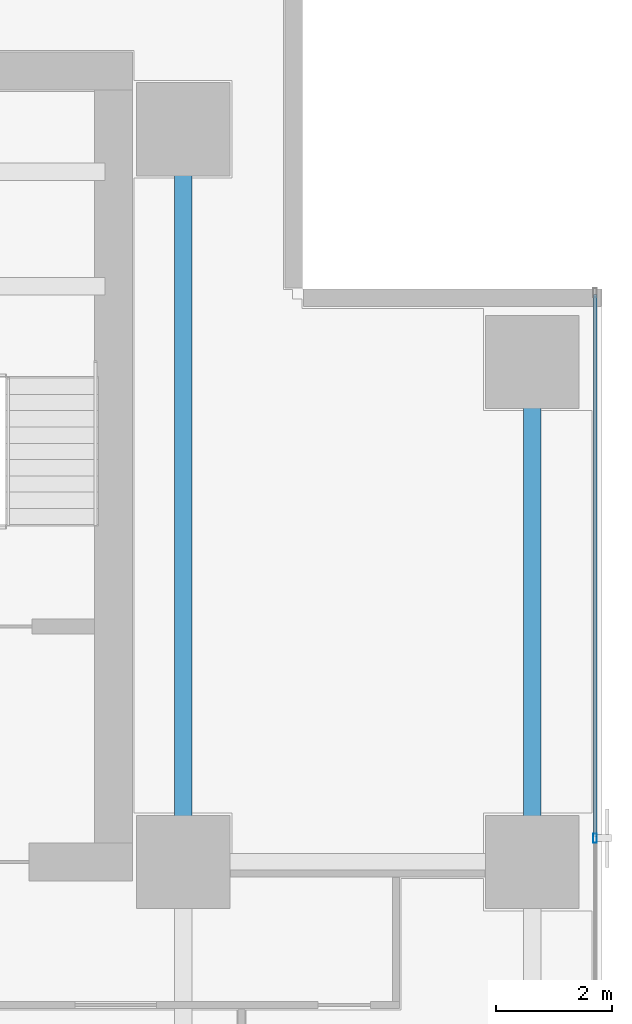
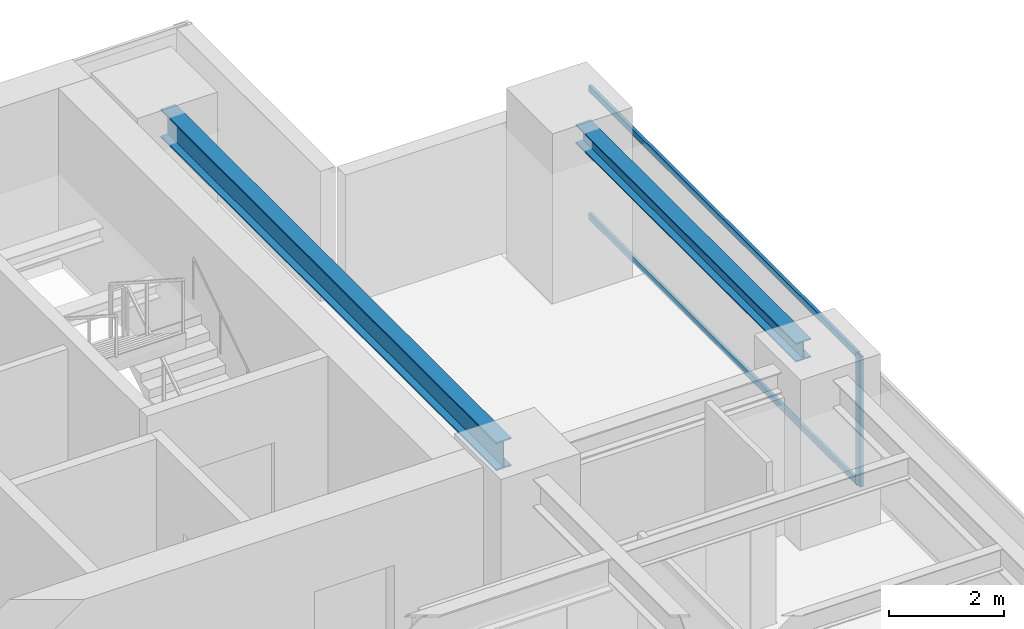
# One storey, part 18 of 28: 3 members, 2 beams, 1 element without a shape of its own.
"""IFC4 building model written with IfcOpenShell, lengths in metres."""

from ifc_helpers import new_model, si_unit, direction, frame, origin, origin_2d, place, context, subcontext, project, spatial, hollow_rectangle, i_section, extrude, source, transform, mapped, material, layer, layer_set, material_profile, profile_set, type_object, element, aggregate, save


model = new_model("IFC4")

# Units and contexts
model_context = context("Model", 3, precision=1e-05, world=origin(), true_north=direction((0.0, 1.0)))
body_context = subcontext(model_context, "Body", "Model", "MODEL_VIEW")
ifc_project = project(units=[si_unit("LENGTHUNIT", "METRE"), si_unit("AREAUNIT", "SQUARE_METRE"), si_unit("VOLUMEUNIT", "CUBIC_METRE"), si_unit("PLANEANGLEUNIT", "RADIAN"), si_unit("MASSUNIT", "GRAM", prefix="KILO")], contexts=[model_context])

# Site, building, storey
site_placement = place(None, origin())
site = spatial("IfcSite", under=ifc_project, at=site_placement, CompositionType="ELEMENT")
building_placement = place(site_placement, origin())
building = spatial("IfcBuilding", under=site, at=building_placement, Name="Sumidabori Civic Tower", CompositionType="ELEMENT")
storey_placement = place(building_placement, frame((0.0, 0.0, 182.0)))
storey = spatial("IfcBuildingStorey", under=building, at=storey_placement, Name="L47", CompositionType="ELEMENT", Elevation=182.0)

# Beams
ifc_material_1 = material(Name="Steel SN490", Category="steel")
ifc_material_profile_1 = material_profile(ifc_material_1, i_section(OverallWidth=0.300048828125, OverallDepth=0.39990234375, WebThickness=0.013427734375, FlangeThickness=0.02392578125, at=origin_2d()), Name="HE 400 B")
ifc_profile_set_1 = profile_set([ifc_material_profile_1], Name="Steel SN490")
beam_type_1 = type_object("IfcBeamType", Name="BM-GIRD-400", PredefinedType="BEAM", material=ifc_profile_set_1)
shared_shape_1 = source(origin(), body_context, "Body", "SweptSolid", [
    extrude(i_section(OverallWidth=0.300048828125, OverallDepth=0.39990234375, WebThickness=0.013427734375, FlangeThickness=0.02392578125, at=origin_2d()), origin(), (0.0, 0.0, 1.0), 7.64013671875),
])
beam_1_placement = place(storey_placement, frame((22.800048828125, 10.679931640625, 3.179931640625), z_axis=(0.0, 1.0, 0.0), x_axis=(-1.0, 0.0, 0.0)))
element("IfcBeam", 1, at=beam_1_placement, inside=storey, type_object=beam_type_1, Name="Primary Girder L47 GY-38", PredefinedType="BEAM", context=body_context, shape_type="MappedRepresentation", body=[
    mapped(shared_shape_1, transform((0.0, 0.0, 0.0), x_axis=(1.0, 0.0, 0.0), y_axis=(0.0, 1.0, 0.0), z_axis=(0.0, 0.0, 1.0), scale=1.0)),
])
ifc_material_profile_2 = material_profile(ifc_material_1, i_section(OverallWidth=0.300048828125, OverallDepth=0.60009765625, WebThickness=0.015380859375, FlangeThickness=0.030029296875, at=origin_2d()), Name="HE 600 B")
ifc_profile_set_2 = profile_set([ifc_material_profile_2], Name="Steel SN490")
beam_type_2 = type_object("IfcBeamType", Name="BM-GIRD-600", PredefinedType="BEAM", material=ifc_profile_set_2)
shared_shape_2 = source(origin(), body_context, "Body", "SweptSolid", [
    extrude(i_section(OverallWidth=0.300048828125, OverallDepth=0.60009765625, WebThickness=0.015380859375, FlangeThickness=0.030029296875, at=origin_2d()), origin(), (0.0, 0.0, 1.0), 11.64013671875),
])
beam_2_placement = place(storey_placement, frame((16.800048828125, 10.679931640625, 3.080078125), z_axis=(0.0, 1.0, 0.0), x_axis=(-1.0, 0.0, 0.0)))
element("IfcBeam", 2, at=beam_2_placement, inside=storey, type_object=beam_type_2, Name="Primary Girder L47 GY-35", PredefinedType="BEAM", context=body_context, shape_type="MappedRepresentation", body=[
    mapped(shared_shape_2, transform((0.0, 0.0, 0.0), x_axis=(1.0, 0.0, 0.0), y_axis=(0.0, 1.0, 0.0), z_axis=(0.0, 0.0, 1.0), scale=1.0)),
])

# Curtain wall, members
ifc_material_2 = material(Name="Anodised Bronze Aluminium AW-6063-T6", Category="aluminium")
ifc_layer = layer(ifc_material_2, 0.179931640625, Name="Anodised Bronze Aluminium AW-6063-T6")
ifc_layer_set = layer_set([ifc_layer], Name="Anodised Bronze Aluminium AW-6063-T6")
curtain_wall_type = type_object("IfcCurtainWallType", Name="CW-SYS-3", PredefinedType="NOTDEFINED", material=ifc_layer_set)
curtain_wall_placement = place(storey_placement, origin())
curtain_wall = element("IfcCurtainWall", 3, at=curtain_wall_placement, inside=storey, type_object=curtain_wall_type, Name="Curtain Wall CW:L47:R04", PredefinedType="NOTDEFINED")
ifc_material_profile_3 = material_profile(ifc_material_2, hollow_rectangle(XDim=0.06494140625, YDim=0.159912109375, WallThickness=0.0048828125, at=origin_2d()), Name="ALU MULLION 160x65")
ifc_profile_set_3 = profile_set([ifc_material_profile_3], Name="Anodised Bronze Aluminium AW-6063-T6")
member_type_1 = type_object("IfcMemberType", Name="CW-MUL-160", PredefinedType="MULLION", material=ifc_profile_set_3)
shared_shape_3 = source(origin(), body_context, "Body", "SweptSolid", [
    extrude(hollow_rectangle(XDim=0.06494140625, YDim=0.159912109375, WallThickness=0.0048828125, at=origin_2d()), origin(), (0.0, 0.0, 1.0), 2.760009765625),
])
member_1_placement = place(storey_placement, frame((23.8798828125, 10.610107421875, 0.0), z_axis=(0.0, 0.0, 1.0), x_axis=(-1.0, 0.0, 0.0)))
member_1 = element("IfcMember", 4, at=member_1_placement, type_object=member_type_1, Name="CW-3 mullion 4", PredefinedType="MULLION", context=body_context, shape_type="MappedRepresentation", body=[
    mapped(shared_shape_3, transform((0.0, 0.0, 0.0), x_axis=(1.0, 0.0, 0.0), y_axis=(0.0, 1.0, 0.0), z_axis=(0.0, 0.0, 1.0), scale=1.0)),
])
ifc_material_profile_4 = material_profile(ifc_material_2, hollow_rectangle(XDim=0.06005859375, YDim=0.1298828125, WallThickness=0.0048828125, at=origin_2d()), Name="ALU TRANSOM 130x60")
ifc_profile_set_4 = profile_set([ifc_material_profile_4], Name="Anodised Bronze Aluminium AW-6063-T6")
member_type_2 = type_object("IfcMemberType", Name="CW-TRN-130", PredefinedType="USERDEFINED", material=ifc_profile_set_4)
shared_shape_4 = source(origin(), body_context, "Body", "SweptSolid", [
    extrude(hollow_rectangle(XDim=0.06005859375, YDim=0.1298828125, WallThickness=0.0048828125, at=origin_2d()), origin(), (0.0, 0.0, 1.0), 9.3125),
])
member_2_placement = place(storey_placement, frame((23.8798828125, 10.642578125, 0.030029296875), z_axis=(0.0, 1.0, 0.0), x_axis=(-1.0, 0.0, 0.0)))
member_2 = element("IfcMember", 5, at=member_2_placement, type_object=member_type_2, Name="CW-3 transom 4.1", ObjectType="TRANSOM", PredefinedType="USERDEFINED", context=body_context, shape_type="MappedRepresentation", body=[
    mapped(shared_shape_4, transform((0.0, 0.0, 0.0), x_axis=(1.0, 0.0, 0.0), y_axis=(0.0, 1.0, 0.0), z_axis=(0.0, 0.0, 1.0), scale=1.0)),
])
member_3_placement = place(storey_placement, frame((23.8798828125, 10.642578125, 2.72998046875), z_axis=(0.0, 1.0, 0.0), x_axis=(-1.0, 0.0, 0.0)))
member_3 = element("IfcMember", 6, at=member_3_placement, type_object=member_type_2, Name="CW-3 transom 4.2", ObjectType="TRANSOM", PredefinedType="USERDEFINED", context=body_context, shape_type="MappedRepresentation", body=[
    mapped(shared_shape_4, transform((0.0, 0.0, 0.0), x_axis=(1.0, 0.0, 0.0), y_axis=(0.0, 1.0, 0.0), z_axis=(0.0, 0.0, 1.0), scale=1.0)),
])
aggregate(curtain_wall, [member_1, member_2, member_3])

save(model, "model.ifc")
